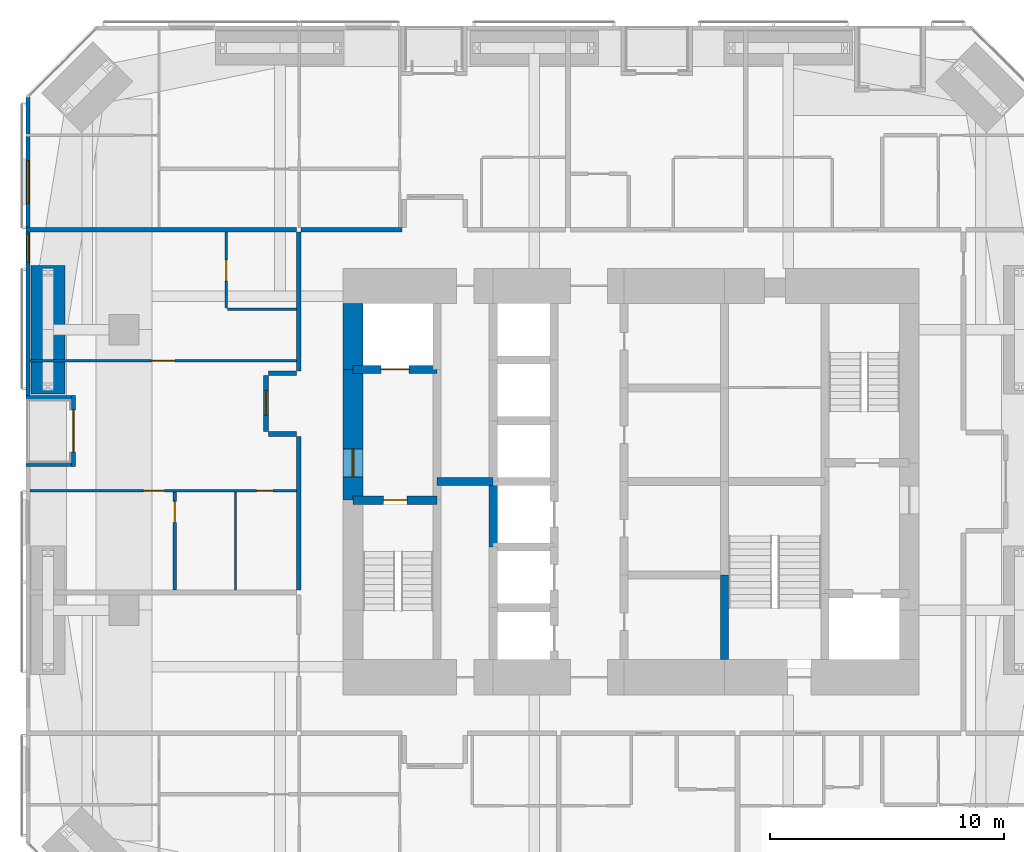
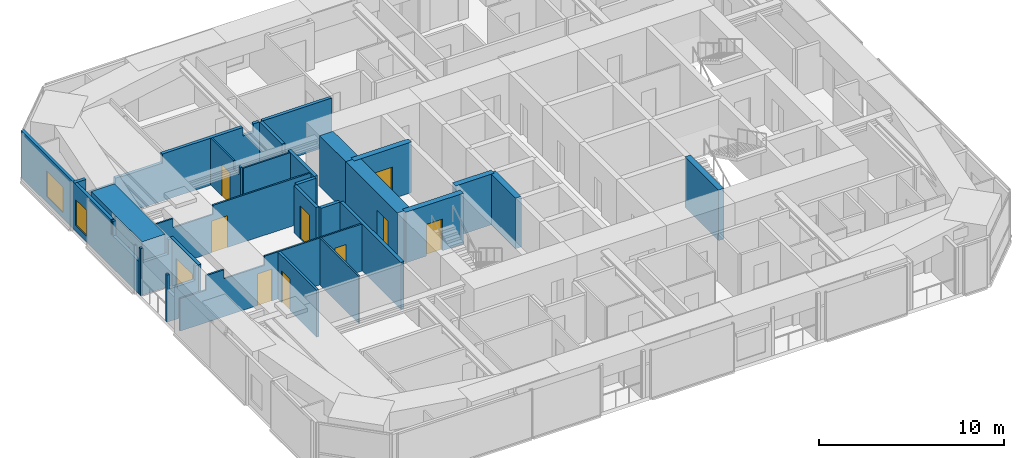
# One storey, part 19 of 25: 25 walls, 10 doors, 2 windows, 12 openings.
"""IFC4 building model written with IfcOpenShell, lengths in metres."""

from ifc_helpers import new_model, si_unit, direction, frame, frame_2d, origin, place, context, subcontext, project, spatial, polyline, rectangle, outline, extrude, material, layer, layer_set, constituent, constituent_set, type_object, element, fill, save


model = new_model("IFC4")

# Units and contexts
model_context = context("Model", 3, precision=1e-05, world=origin(), true_north=direction((0.0, 1.0)))
body_context = subcontext(model_context, "Body", "Model", "MODEL_VIEW")
ifc_project = project(units=[si_unit("LENGTHUNIT", "METRE"), si_unit("AREAUNIT", "SQUARE_METRE"), si_unit("VOLUMEUNIT", "CUBIC_METRE"), si_unit("PLANEANGLEUNIT", "RADIAN"), si_unit("MASSUNIT", "GRAM", prefix="KILO")], contexts=[model_context])

# Site, building, storey
site_placement = place(None, origin())
site = spatial("IfcSite", under=ifc_project, at=site_placement, CompositionType="ELEMENT")
building_placement = place(site_placement, origin())
building = spatial("IfcBuilding", under=site, at=building_placement, Name="Jalousie Tower", CompositionType="ELEMENT")
storey_placement = place(building_placement, frame((0.0, 0.0, 98.14990234375)))
storey = spatial("IfcBuildingStorey", under=building, at=storey_placement, Name="L26", CompositionType="ELEMENT", Elevation=98.14990234375)

# Wall, opening, door
ifc_material_1 = material(Name="Concrete block ASTM C90", Category="concrete")
ifc_constituent_1 = constituent(ifc_material_1, Name="Body")
ifc_material_2 = material(Name="Render")
ifc_constituent_2 = constituent(ifc_material_2, Name="Finish")
ifc_constituent_set_1 = constituent_set(constituents=[ifc_constituent_1, ifc_constituent_2])
wall_type_1 = type_object("IfcWallType", Name="BATHROOM WALL 150", PredefinedType="PLUMBINGWALL", material=ifc_constituent_set_1)
wall_1_placement = place(storey_placement, frame((12.375, 13.85009765625, 0.0), z_axis=(0.0, 0.0, 1.0), x_axis=(0.0, 1.0, 0.0)))
wall_1 = element("IfcWall", 1, at=wall_1_placement, inside=storey, type_object=wall_type_1, Name="Bathroom Wall 150 L26", PredefinedType="PLUMBINGWALL", context=body_context, shape_type="SweptSolid", body=[
    extrude(rectangle(XDim=4.199951171875, YDim=0.14990234375, at=frame_2d((2.10009765625, 0.0))), origin(), (0.0, 0.0, 1.0), 3.110107421875),
])
opening_1_placement = place(wall_1_placement, frame((2.89990234375, 0.0, 0.0)))
opening_1 = element("IfcOpeningElement", 2, at=opening_1_placement, cuts=wall_1, Name="Opening D3", PredefinedType="OPENING", context=body_context, shape_type="SweptSolid", body=[
    extrude(rectangle(XDim=0.89990234375, YDim=2.10009765625, at=frame_2d((0.449951171875, 1.050048828125))), frame((0.0, 0.0849609375, 0.0), z_axis=(0.0, -1.0, 0.0), x_axis=(1.0, 0.0, 0.0)), (0.0, 0.0, 1.0), 0.169921875),
])
ifc_material_3 = material(Name="Timber door", Category="wood")
door_type_1 = type_object("IfcDoorType", Name="BATHROOM DOOR 900", OperationType="SINGLE_SWING_LEFT", PredefinedType="DOOR", material=ifc_material_3)
door_1_placement = place(opening_1_placement, frame((0.89990234375, 0.0, 0.0), z_axis=(0.0, 0.0, 1.0), x_axis=(-1.0, 0.0, 0.0)))
door_1 = element("IfcDoor", 3, at=door_1_placement, inside=storey, type_object=door_type_1, Name="Apartment 2607 bedroom 1 bathroom door", OperationType="SINGLE_SWING_LEFT", OverallHeight=2.10009765625, OverallWidth=0.89990234375, PredefinedType="DOOR", context=body_context, shape_type="SweptSolid", body=[
    extrude(rectangle(XDim=0.89990234375, YDim=2.10009765625, at=frame_2d((0.449951171875, 1.050048828125))), frame((0.0, 0.02490234375, 0.0), z_axis=(0.0, -1.0, 0.0), x_axis=(1.0, 0.0, 0.0)), (0.0, 0.0, 1.0), 0.050048828125),
])
fill(opening_1, door_1)

# Walls
ifc_material_4 = material(Name="Concrete f'c 120 MPa", Category="concrete")
ifc_layer_1 = layer(ifc_material_4, 0.35009765625)
ifc_layer_set_1 = layer_set([ifc_layer_1], Name="Concrete f'c 120 MPa")
wall_type_2 = type_object("IfcWallType", Name="CORE WALL 350", PredefinedType="SHEAR", material=ifc_layer_set_1)
wall_2_placement = place(storey_placement, frame((26.0, 15.699951171875, 0.0), z_axis=(0.0, 0.0, 1.0), x_axis=(0.0, 1.0, 0.0)))
element("IfcWall", 4, at=wall_2_placement, inside=storey, type_object=wall_type_2, Name="Core wall X26C L26", PredefinedType="SHEAR", context=body_context, shape_type="SweptSolid", body=[
    extrude(rectangle(XDim=2.800048828125, YDim=0.35009765625, at=frame_2d((1.39990234375, 0.0))), origin(), (0.0, 0.0, 1.0), 3.35009765625),
])
wall_3_placement = place(storey_placement, frame((35.89990234375, 10.875, 0.0), z_axis=(0.0, 0.0, 1.0), x_axis=(0.0, 1.0, 0.0)))
element("IfcWall", 5, at=wall_3_placement, inside=storey, type_object=wall_type_2, Name="Core wall X35.9A L26", PredefinedType="SHEAR", context=body_context, shape_type="SweptSolid", body=[
    extrude(rectangle(XDim=3.625, YDim=0.35009765625, at=frame_2d((1.8125, 0.0))), origin(), (0.0, 0.0, 1.0), 3.35009765625),
])

# Wall, opening, door
wall_4_placement = place(storey_placement, frame((20.0, 17.699951171875, 0.0), z_axis=(0.0, 0.0, 1.0), x_axis=(1.0, 0.0, 0.0)))
wall_4 = element("IfcWall", 6, at=wall_4_placement, inside=storey, type_object=wall_type_2, Name="Core wall Y20-17.7 L26", PredefinedType="SHEAR", context=body_context, shape_type="SweptSolid", body=[
    extrude(rectangle(XDim=3.60009765625, YDim=0.35009765625, at=frame_2d((1.800048828125, 0.0))), origin(), (0.0, 0.0, 1.0), 3.35009765625),
])
opening_2_placement = place(wall_4_placement, frame((1.300048828125, 0.0, 0.0)))
opening_2 = element("IfcOpeningElement", 7, at=opening_2_placement, cuts=wall_4, Name="Opening D10", PredefinedType="OPENING", context=body_context, shape_type="SweptSolid", body=[
    extrude(rectangle(XDim=1.0, YDim=2.10009765625, at=frame_2d((0.5, 1.050048828125))), frame((0.0, 0.18505859375, 0.0), z_axis=(0.0, -1.0, 0.0), x_axis=(1.0, 0.0, 0.0)), (0.0, 0.0, 1.0), 0.3701171875),
])
ifc_material_5 = material(Name="Steel fire door", Category="steel")
door_type_2 = type_object("IfcDoorType", Name="STAIR DOOR 1000", OperationType="SINGLE_SWING_LEFT", PredefinedType="DOOR", material=ifc_material_5)
door_2_placement = place(opening_2_placement, frame((1.0, 0.0, 0.0), z_axis=(0.0, 0.0, 1.0), x_axis=(-1.0, 0.0, 0.0)))
door_2 = element("IfcDoor", 8, at=door_2_placement, inside=storey, type_object=door_type_2, Name="Exit stair A door", OperationType="SINGLE_SWING_RIGHT", OverallHeight=2.10009765625, OverallWidth=1.0, PredefinedType="DOOR", context=body_context, shape_type="SweptSolid", body=[
    extrude(rectangle(XDim=1.0, YDim=2.10009765625, at=frame_2d((0.5, 1.050048828125))), frame((0.0, 0.02490234375, 0.0), z_axis=(0.0, -1.0, 0.0), x_axis=(1.0, 0.0, 0.0)), (0.0, 0.0, 1.0), 0.050048828125),
])
fill(opening_2, door_2)

wall_5_placement = place(storey_placement, frame((20.0, 23.300048828125, 0.0), z_axis=(0.0, 0.0, 1.0), x_axis=(1.0, 0.0, 0.0)))
wall_5 = element("IfcWall", 9, at=wall_5_placement, inside=storey, type_object=wall_type_2, Name="Core wall Y20-23.3 L26", PredefinedType="SHEAR", context=body_context, shape_type="SweptSolid", body=[
    extrude(rectangle(XDim=3.60009765625, YDim=0.35009765625, at=frame_2d((1.800048828125, 0.0))), origin(), (0.0, 0.0, 1.0), 3.35009765625),
])
opening_3_placement = place(wall_5_placement, frame((1.199951171875, 0.0, 0.0)))
opening_3 = element("IfcOpeningElement", 10, at=opening_3_placement, cuts=wall_5, Name="Opening LD2", PredefinedType="OPENING", context=body_context, shape_type="SweptSolid", body=[
    extrude(rectangle(XDim=1.199951171875, YDim=2.10009765625, at=frame_2d((0.60009765625, 1.050048828125))), frame((0.0, 0.18505859375, 0.0), z_axis=(0.0, -1.0, 0.0), x_axis=(1.0, 0.0, 0.0)), (0.0, 0.0, 1.0), 0.3701171875),
])
ifc_material_6 = material(Name="Steel lift landing door", Category="steel")
door_type_3 = type_object("IfcDoorType", Name="LIFT LANDING DOOR 1200", OperationType="SLIDING_TO_LEFT", PredefinedType="DOOR", material=ifc_material_6)
door_3_placement = place(opening_3_placement, origin())
door_3 = element("IfcDoor", 11, at=door_3_placement, inside=storey, type_object=door_type_3, Name="Lift F1 landing door", OperationType="SLIDING_TO_LEFT", OverallHeight=2.10009765625, OverallWidth=1.199951171875, PredefinedType="DOOR", context=body_context, shape_type="SweptSolid", body=[
    extrude(rectangle(XDim=1.199951171875, YDim=2.10009765625, at=frame_2d((0.60009765625, 1.050048828125))), frame((0.0, 0.02490234375, 0.0), z_axis=(0.0, -1.0, 0.0), x_axis=(1.0, 0.0, 0.0)), (0.0, 0.0, 1.0), 0.050048828125),
])
fill(opening_3, door_3)

# Walls
wall_6_placement = place(storey_placement, frame((23.60009765625, 18.5, 0.0), z_axis=(0.0, 0.0, 1.0), x_axis=(1.0, 0.0, 0.0)))
element("IfcWall", 12, at=wall_6_placement, inside=storey, type_object=wall_type_2, Name="Core wall Y23.6-18.5 L26", PredefinedType="SHEAR", context=body_context, shape_type="SweptSolid", body=[
    extrude(rectangle(XDim=2.39990234375, YDim=0.35009765625, at=frame_2d((1.199951171875, 0.0))), origin(), (0.0, 0.0, 1.0), 3.35009765625),
])
ifc_material_7 = material(Name="Concrete f'c 120 MPa", Category="concrete")
ifc_layer_2 = layer(ifc_material_7, 0.85009765625)
ifc_layer_set_2 = layer_set([ifc_layer_2], Name="Concrete f'c 120 MPa")
wall_type_3 = type_object("IfcWallType", Name="CORE WALL 850", PredefinedType="SHEAR", material=ifc_layer_set_2)
wall_7_placement = place(storey_placement, frame((20.0, 26.125, 0.0), z_axis=(0.0, 0.0, 1.0), x_axis=(0.0, -1.0, 0.0)))
element("IfcWall", 13, at=wall_7_placement, inside=storey, type_object=wall_type_3, Name="Core wall WA L26", PredefinedType="SHEAR", context=body_context, shape_type="SweptSolid", body=[
    extrude(rectangle(XDim=2.824951171875, YDim=0.85009765625, at=frame_2d((1.41259765625, 0.0))), origin(), (0.0, 0.0, 1.0), 3.35009765625),
])

# Wall, opening, door
wall_8_placement = place(storey_placement, frame((20.0, 23.300048828125, 0.0), z_axis=(0.0, 0.0, 1.0), x_axis=(0.0, -1.0, 0.0)))
wall_8 = element("IfcWall", 14, at=wall_8_placement, inside=storey, type_object=wall_type_3, Name="Core wall WB L26", PredefinedType="SHEAR", context=body_context, shape_type="SweptSolid", body=[
    extrude(rectangle(XDim=5.60009765625, YDim=0.85009765625, at=frame_2d((2.800048828125, 0.0))), origin(), (0.0, 0.0, 1.0), 3.35009765625),
])
opening_4_placement = place(wall_8_placement, frame((3.39990234375, 0.0, 0.0)))
opening_4 = element("IfcOpeningElement", 15, at=opening_4_placement, cuts=wall_8, Name="Opening D11", PredefinedType="OPENING", context=body_context, shape_type="SweptSolid", body=[
    extrude(rectangle(XDim=1.199951171875, YDim=2.199951171875, at=frame_2d((0.60009765625, 1.10009765625))), frame((0.0, 0.43505859375, 0.0), z_axis=(0.0, -1.0, 0.0), x_axis=(1.0, 0.0, 0.0)), (0.0, 0.0, 1.0), 0.8701171875),
])
ifc_material_8 = material(Name="Steel fire door", Category="steel")
door_type_4 = type_object("IfcDoorType", Name="FIRE DOOR 1200", OperationType="SINGLE_SWING_LEFT", PredefinedType="DOOR", material=ifc_material_8)
door_4_placement = place(opening_4_placement, origin())
door_4 = element("IfcDoor", 16, at=door_4_placement, inside=storey, type_object=door_type_4, Name="Fire-fighting lobby A door", OperationType="SINGLE_SWING_RIGHT", OverallHeight=2.199951171875, OverallWidth=1.199951171875, PredefinedType="DOOR", context=body_context, shape_type="SweptSolid", body=[
    extrude(rectangle(XDim=1.199951171875, YDim=2.199951171875, at=frame_2d((0.60009765625, 1.10009765625))), frame((0.0, 0.02490234375, 0.0), z_axis=(0.0, -1.0, 0.0), x_axis=(1.0, 0.0, 0.0)), (0.0, 0.0, 1.0), 0.050048828125),
])
fill(opening_4, door_4)

# Walls
ifc_material_9 = material(Name="Concrete block ASTM C90", Category="concrete")
ifc_constituent_3 = constituent(ifc_material_9, Name="Body")
ifc_material_10 = material(Name="Render")
ifc_constituent_4 = constituent(ifc_material_10, Name="Finish")
ifc_constituent_set_2 = constituent_set(constituents=[ifc_constituent_3, ifc_constituent_4])
wall_type_4 = type_object("IfcWallType", Name="CORRIDOR WALL 200", PredefinedType="PARTITIONING", material=ifc_constituent_set_2)
wall_9_placement = place(storey_placement, frame((17.77490234375, 29.27490234375, 0.0), z_axis=(0.0, 0.0, 1.0), x_axis=(1.0, 0.0, 0.0)))
element("IfcWall", 17, at=wall_9_placement, inside=storey, type_object=wall_type_4, Name="Corridor Wall 200 L26", PredefinedType="PARTITIONING", context=body_context, shape_type="SweptSolid", body=[
    extrude(rectangle(XDim=4.3251953125, YDim=0.199951171875, at=frame_2d((2.16259765625, 0.0))), origin(), (0.0, 0.0, 1.0), 3.110107421875),
])
wall_10_placement = place(storey_placement, frame((17.675048828125, 13.85009765625, 0.0), z_axis=(0.0, 0.0, 1.0), x_axis=(0.0, 1.0, 0.0)))
element("IfcWall", 18, at=wall_10_placement, inside=storey, type_object=wall_type_4, Name="Corridor Wall 200 L26", PredefinedType="PARTITIONING", context=body_context, shape_type="SweptSolid", body=[
    extrude(rectangle(XDim=6.58740234375, YDim=0.199951171875, at=frame_2d((3.293701171875, 0.0))), origin(), (0.0, 0.0, 1.0), 3.110107421875),
])
wall_11_placement = place(storey_placement, frame((17.675048828125, 23.237548828125, 0.0), z_axis=(0.0, 0.0, 1.0), x_axis=(0.0, 1.0, 0.0)))
element("IfcWall", 19, at=wall_11_placement, inside=storey, type_object=wall_type_4, Name="Corridor Wall 200 L26", PredefinedType="PARTITIONING", context=body_context, shape_type="SweptSolid", body=[
    extrude(outline(polyline([(0.0, 0.0), (5.9375, 0.0), (5.9375, 3.110107421875), (3.52490234375, 3.110107421875), (3.52490234375, 2.541015625), (2.85009765625, 2.541015625), (2.85009765625, 3.110107421875), (0.0, 3.110107421875), (0.0, 0.0)])), frame((0.0, 0.10009765625, 0.0), z_axis=(0.0, -1.0, 0.0), x_axis=(1.0, 0.0, 0.0)), (0.0, 0.0, 1.0), 0.199951171875),
])

# Wall, opening, door
wall_12_placement = place(storey_placement, frame((16.27490234375, 20.637451171875, 0.0), z_axis=(0.0, 0.0, 1.0), x_axis=(0.0, 1.0, 0.0)))
wall_12 = element("IfcWall", 20, at=wall_12_placement, inside=storey, type_object=wall_type_4, Name="Corridor Wall 200 L26", PredefinedType="PARTITIONING", context=body_context, shape_type="SweptSolid", body=[
    extrude(rectangle(XDim=2.400146484375, YDim=0.199951171875, at=frame_2d((1.2001953125, 0.0))), origin(), (0.0, 0.0, 1.0), 3.110107421875),
])
opening_5_placement = place(wall_12_placement, frame((0.699951171875, 0.0, 0.0)))
opening_5 = element("IfcOpeningElement", 21, at=opening_5_placement, cuts=wall_12, Name="Opening D1", PredefinedType="OPENING", context=body_context, shape_type="SweptSolid", body=[
    extrude(rectangle(XDim=1.050048828125, YDim=2.199951171875, at=frame_2d((0.52490234375, 1.10009765625))), frame((0.0, 0.10986328125, 0.0), z_axis=(0.0, -1.0, 0.0), x_axis=(1.0, 0.0, 0.0)), (0.0, 0.0, 1.0), 0.219970703125),
])
ifc_material_11 = material(Name="Timber fire door", Category="wood")
door_type_5 = type_object("IfcDoorType", Name="APARTMENT ENTRANCE DOOR 1050", OperationType="SINGLE_SWING_LEFT", PredefinedType="DOOR", material=ifc_material_11)
door_5_placement = place(opening_5_placement, origin())
door_5 = element("IfcDoor", 22, at=door_5_placement, inside=storey, type_object=door_type_5, Name="Apartment 2607 entrance", OperationType="SINGLE_SWING_RIGHT", OverallHeight=2.199951171875, OverallWidth=1.050048828125, PredefinedType="DOOR", context=body_context, shape_type="SweptSolid", body=[
    extrude(rectangle(XDim=1.050048828125, YDim=2.199951171875, at=frame_2d((0.52490234375, 1.10009765625))), frame((0.0, 0.02490234375, 0.0), z_axis=(0.0, -1.0, 0.0), x_axis=(1.0, 0.0, 0.0)), (0.0, 0.0, 1.0), 0.050048828125),
])
fill(opening_5, door_5)

# Walls
for number, where, z_axis, x_axis, name in (
    (23, (17.574951171875, 20.53759765625, 0.0), (0.0, 0.0, 1.0), (-1.0, 0.0, 0.0), "Corridor Wall 200 L26"),
    (24, (17.574951171875, 23.137451171875, 0.0), (0.0, 0.0, 1.0), (-1.0, 0.0, 0.0), "Corridor Wall 200 L26"),
):
    element("IfcWall", number, at=place(storey_placement, frame(where, z_axis=z_axis, x_axis=x_axis)), inside=storey, type_object=wall_type_4, Name=name, PredefinedType="PARTITIONING", context=body_context, shape_type="SweptSolid", body=[
        extrude(rectangle(XDim=1.199951171875, YDim=0.199951171875, at=frame_2d((0.60009765625, 0.0))), origin(), (0.0, 0.0, 1.0), 3.110107421875),
    ])

# Wall, openings, windows
ifc_material_12 = material(Name="Concrete f'c 40 MPa", Category="concrete")
ifc_constituent_5 = constituent(ifc_material_12, Name="Body")
ifc_material_13 = material(Name="Render, pastel sea green")
ifc_constituent_6 = constituent(ifc_material_13, Name="Finish")
ifc_constituent_set_3 = constituent_set(constituents=[ifc_constituent_5, ifc_constituent_6])
wall_type_5 = type_object("IfcWallType", Name="EXTERNAL WALL 175 SEA GREEN RENDER", PredefinedType="SOLIDWALL", material=ifc_constituent_set_3)
wall_13_placement = place(storey_placement, frame((6.08740234375, 34.94873046875, 0.0), z_axis=(0.0, 0.0, 1.0), x_axis=(0.0, -1.0, 0.0)))
wall_13 = element("IfcWall", 25, at=wall_13_placement, inside=storey, type_object=wall_type_5, Name="External Wall 175 Sea Green Render L26", PredefinedType="SOLIDWALL", context=body_context, shape_type="SweptSolid", body=[
    extrude(outline(polyline([(0.0, 0.0), (12.76123046875, 0.0), (12.76123046875, 2.150146484375), (9.94873046875, 2.150146484375), (9.94873046875, 3.110107421875), (9.822998046875, 3.110107421875), (9.822998046875, 2.150146484375), (9.72998046875, 2.150146484375), (9.72998046875, 3.110107421875), (0.0, 3.110107421875), (0.0, 0.0)])), frame((0.0, 0.08740234375, 0.0), z_axis=(0.0, -1.0, 0.0), x_axis=(1.0, 0.0, 0.0)), (0.0, 0.0, 1.0), 0.175048828125),
])
opening_6_placement = place(wall_13_placement, frame((2.72412109375, 0.0, 0.39990234375)))
opening_6 = element("IfcOpeningElement", 26, at=opening_6_placement, cuts=wall_13, Name="Opening W-BED170", PredefinedType="OPENING", context=body_context, shape_type="SweptSolid", body=[
    extrude(rectangle(XDim=1.800048828125, YDim=1.699951171875, at=frame_2d((0.89990234375, 0.85009765625))), frame((0.0, 0.097412109375, 0.0), z_axis=(0.0, -1.0, 0.0), x_axis=(1.0, 0.0, 0.0)), (0.0, 0.0, 1.0), 0.195068359375),
])
opening_7_placement = place(wall_13_placement, frame((5.873779296875, 0.0, 0.39990234375)))
opening_7 = element("IfcOpeningElement", 27, at=opening_7_placement, cuts=wall_13, Name="Opening W-COR170", PredefinedType="OPENING", context=body_context, shape_type="SweptSolid", body=[
    extrude(rectangle(XDim=1.199951171875, YDim=1.699951171875, at=frame_2d((0.60009765625, 0.85009765625))), frame((0.0, 0.097412109375, 0.0), z_axis=(0.0, -1.0, 0.0), x_axis=(1.0, 0.0, 0.0)), (0.0, 0.0, 1.0), 0.195068359375),
])
ifc_material_14 = material(Name="Aluminium frame, impact-rated glazing", Category="aluminium")
window_type_1 = type_object("IfcWindowType", Name="WINDOW BED 1800x1700", PartitioningType="SINGLE_PANEL", PredefinedType="WINDOW", material=ifc_material_14)
window_1_placement = place(opening_6_placement, origin())
window_1 = element("IfcWindow", 28, at=window_1_placement, inside=storey, type_object=window_type_1, Name="Apartment 2604 bedroom 1 window", OverallHeight=1.699951171875, OverallWidth=1.800048828125, PartitioningType="SINGLE_PANEL", PredefinedType="WINDOW", context=body_context, shape_type="SweptSolid", body=[
    extrude(rectangle(XDim=1.800048828125, YDim=1.699951171875, at=frame_2d((0.89990234375, 0.85009765625))), frame((0.0, 0.030029296875, 0.0), z_axis=(0.0, -1.0, 0.0), x_axis=(1.0, 0.0, 0.0)), (0.0, 0.0, 1.0), 0.06005859375),
])
fill(opening_6, window_1)
ifc_material_15 = material(Name="Aluminium frame, impact-rated glazing", Category="aluminium")
window_type_2 = type_object("IfcWindowType", Name="WINDOW COR 1200x1700", PartitioningType="SINGLE_PANEL", PredefinedType="WINDOW", material=ifc_material_15)
window_2_placement = place(opening_7_placement, origin())
window_2 = element("IfcWindow", 29, at=window_2_placement, inside=storey, type_object=window_type_2, Name="Apartment 2607 dining room window", OverallHeight=1.699951171875, OverallWidth=1.199951171875, PartitioningType="SINGLE_PANEL", PredefinedType="WINDOW", context=body_context, shape_type="SweptSolid", body=[
    extrude(rectangle(XDim=1.199951171875, YDim=1.699951171875, at=frame_2d((0.60009765625, 0.85009765625))), frame((0.0, 0.030029296875, 0.0), z_axis=(0.0, -1.0, 0.0), x_axis=(1.0, 0.0, 0.0)), (0.0, 0.0, 1.0), 0.06005859375),
])
fill(opening_7, window_2)

# Wall, opening, door
wall_14_placement = place(storey_placement, frame((8.03759765625, 22.1875, 0.0), z_axis=(0.0, 0.0, 1.0), x_axis=(0.0, -1.0, 0.0)))
wall_14 = element("IfcWall", 30, at=wall_14_placement, inside=storey, type_object=wall_type_5, Name="External Wall 175 Sea Green Render L26", PredefinedType="SOLIDWALL", context=body_context, shape_type="SweptSolid", body=[
    extrude(rectangle(XDim=3.050048828125, YDim=0.175048828125, at=frame_2d((1.52490234375, 0.0))), origin(), (0.0, 0.0, 1.0), 3.110107421875),
])
opening_8_placement = place(wall_14_placement, frame((0.625, 0.0, 0.0)))
opening_8 = element("IfcOpeningElement", 31, at=opening_8_placement, cuts=wall_14, Name="Opening D-BAL21", PredefinedType="OPENING", context=body_context, shape_type="SweptSolid", body=[
    extrude(rectangle(XDim=1.800048828125, YDim=2.10009765625, at=frame_2d((0.89990234375, 1.050048828125))), frame((0.0, 0.097412109375, 0.0), z_axis=(0.0, -1.0, 0.0), x_axis=(1.0, 0.0, 0.0)), (0.0, 0.0, 1.0), 0.195068359375),
])
ifc_material_16 = material(Name="Aluminium frame, impact-rated glazing", Category="aluminium")
door_type_6 = type_object("IfcDoorType", Name="BALCONY DOOR 1800x2100", OperationType="SLIDING_TO_LEFT", PredefinedType="DOOR", material=ifc_material_16)
door_6_placement = place(opening_8_placement, origin())
door_6 = element("IfcDoor", 32, at=door_6_placement, inside=storey, type_object=door_type_6, Name="Apartment 2607 living room loggia door", OperationType="SLIDING_TO_LEFT", OverallHeight=2.10009765625, OverallWidth=1.800048828125, PredefinedType="DOOR", context=body_context, shape_type="SweptSolid", body=[
    extrude(rectangle(XDim=1.800048828125, YDim=2.10009765625, at=frame_2d((0.89990234375, 1.050048828125))), frame((0.0, 0.02490234375, 0.0), z_axis=(0.0, -1.0, 0.0), x_axis=(1.0, 0.0, 0.0)), (0.0, 0.0, 1.0), 0.050048828125),
])
fill(opening_8, door_6)

# Walls
for number, where, z_axis, x_axis, name in (
    (33, (6.0, 22.10009765625, 0.0), (0.0, 0.0, 1.0), (1.0, 0.0, 0.0), "External Wall 175 Sea Green Render L26"),
    (34, (6.0, 19.22509765625, 0.0), (0.0, 0.0, 1.0), (1.0, 0.0, 0.0), "External Wall 175 Sea Green Render L26"),
):
    element("IfcWall", number, at=place(storey_placement, frame(where, z_axis=z_axis, x_axis=x_axis)), inside=storey, type_object=wall_type_5, Name=name, PredefinedType="SOLIDWALL", context=body_context, shape_type="SweptSolid", body=[
        extrude(outline(polyline([(0.0, 0.0), (1.949951171875, 0.0), (1.949951171875, 3.110107421875), (1.75, 3.110107421875), (1.75, 2.150146484375), (0.14990234375, 2.150146484375), (0.14990234375, 3.110107421875), (0.0, 3.110107421875), (0.0, 0.0)])), frame((0.0, 0.08740234375, 0.0), z_axis=(0.0, -1.0, 0.0), x_axis=(1.0, 0.0, 0.0)), (0.0, 0.0, 1.0), 0.175048828125),
    ])

# Wall, openings, doors
ifc_material_17 = material(Name="Gypsum board", Category="gypsum")
ifc_constituent_7 = constituent(ifc_material_17, Name="Body")
ifc_material_18 = material(Name="Light-gauge steel studs ASTM A653 SS Grade 33", Category="steel")
ifc_constituent_8 = constituent(ifc_material_18, Name="Framing")
ifc_constituent_set_4 = constituent_set(constituents=[ifc_constituent_7, ifc_constituent_8])
wall_type_6 = type_object("IfcWallType", Name="PARTITION 100", PredefinedType="PARTITIONING", material=ifc_constituent_set_4)
wall_15_placement = place(storey_placement, frame((6.175048828125, 18.10009765625, 0.0), z_axis=(0.0, 0.0, 1.0), x_axis=(1.0, 0.0, 0.0)))
wall_15 = element("IfcWall", 35, at=wall_15_placement, inside=storey, type_object=wall_type_6, Name="Partition 100 L26", PredefinedType="PARTITIONING", context=body_context, shape_type="SweptSolid", body=[
    extrude(outline(polyline([(0.0, 0.0), (11.39990234375, 0.0), (11.39990234375, 3.110107421875), (5.284912109375, 3.110107421875), (5.284912109375, 2.510009765625), (2.764892578125, 2.510009765625), (2.764892578125, 3.110107421875), (1.635009765625, 3.110107421875), (1.635009765625, 2.150146484375), (0.0, 2.150146484375), (0.0, 3.110107421875), (0.0, 0.0)])), frame((0.0, 0.050048828125, 0.0), z_axis=(0.0, -1.0, 0.0), x_axis=(1.0, 0.0, 0.0)), (0.0, 0.0, 1.0), 0.10009765625),
])
opening_9_placement = place(wall_15_placement, frame((4.85009765625, 0.0, 0.0)))
opening_9 = element("IfcOpeningElement", 36, at=opening_9_placement, cuts=wall_15, Name="Opening D2", PredefinedType="OPENING", context=body_context, shape_type="SweptSolid", body=[
    extrude(rectangle(XDim=0.89990234375, YDim=2.10009765625, at=frame_2d((0.449951171875, 1.050048828125))), frame((0.0, 0.06005859375, 0.0), z_axis=(0.0, -1.0, 0.0), x_axis=(1.0, 0.0, 0.0)), (0.0, 0.0, 1.0), 0.1201171875),
])
opening_10_placement = place(wall_15_placement, frame((9.699951171875, 0.0, 0.0)))
opening_10 = element("IfcOpeningElement", 37, at=opening_10_placement, cuts=wall_15, Name="Opening D4", PredefinedType="OPENING", context=body_context, shape_type="SweptSolid", body=[
    extrude(rectangle(XDim=0.699951171875, YDim=2.10009765625, at=frame_2d((0.35009765625, 1.050048828125))), frame((0.0, 0.06005859375, 0.0), z_axis=(0.0, -1.0, 0.0), x_axis=(1.0, 0.0, 0.0)), (0.0, 0.0, 1.0), 0.1201171875),
])
ifc_material_19 = material(Name="Timber door", Category="wood")
door_type_7 = type_object("IfcDoorType", Name="BEDROOM DOOR 900", OperationType="SINGLE_SWING_LEFT", PredefinedType="DOOR", material=ifc_material_19)
door_7_placement = place(opening_9_placement, frame((0.89990234375, 0.0, 0.0), z_axis=(0.0, 0.0, 1.0), x_axis=(-1.0, 0.0, 0.0)))
door_7 = element("IfcDoor", 38, at=door_7_placement, inside=storey, type_object=door_type_7, Name="Apartment 2607 bedroom 1 door", OperationType="SINGLE_SWING_LEFT", OverallHeight=2.10009765625, OverallWidth=0.89990234375, PredefinedType="DOOR", context=body_context, shape_type="SweptSolid", body=[
    extrude(rectangle(XDim=0.89990234375, YDim=2.10009765625, at=frame_2d((0.449951171875, 1.050048828125))), frame((0.0, 0.02490234375, 0.0), z_axis=(0.0, -1.0, 0.0), x_axis=(1.0, 0.0, 0.0)), (0.0, 0.0, 1.0), 0.050048828125),
])
fill(opening_9, door_7)
ifc_material_20 = material(Name="Timber door", Category="wood")
door_type_8 = type_object("IfcDoorType", Name="STORE DOOR 700", OperationType="SINGLE_SWING_LEFT", PredefinedType="DOOR", material=ifc_material_20)
door_8_placement = place(opening_10_placement, frame((0.699951171875, 0.0, 0.0), z_axis=(0.0, 0.0, 1.0), x_axis=(-1.0, 0.0, 0.0)))
door_8 = element("IfcDoor", 39, at=door_8_placement, inside=storey, type_object=door_type_8, Name="Apartment 2607 store door", OperationType="SINGLE_SWING_RIGHT", OverallHeight=2.10009765625, OverallWidth=0.699951171875, PredefinedType="DOOR", context=body_context, shape_type="SweptSolid", body=[
    extrude(rectangle(XDim=0.699951171875, YDim=2.10009765625, at=frame_2d((0.35009765625, 1.050048828125))), frame((0.0, 0.02490234375, 0.0), z_axis=(0.0, -1.0, 0.0), x_axis=(1.0, 0.0, 0.0)), (0.0, 0.0, 1.0), 0.050048828125),
])
fill(opening_10, door_8)

# Wall
wall_16_placement = place(storey_placement, frame((14.97509765625, 13.85009765625, 0.0), z_axis=(0.0, 0.0, 1.0), x_axis=(0.0, 1.0, 0.0)))
element("IfcWall", 40, at=wall_16_placement, inside=storey, type_object=wall_type_6, Name="Partition 100 L26", PredefinedType="PARTITIONING", context=body_context, shape_type="SweptSolid", body=[
    extrude(rectangle(XDim=4.199951171875, YDim=0.10009765625, at=frame_2d((2.10009765625, 0.0))), origin(), (0.0, 0.0, 1.0), 3.110107421875),
])

# Wall, opening, door
wall_17_placement = place(storey_placement, frame((14.574951171875, 25.925048828125, 0.0), z_axis=(0.0, 0.0, 1.0), x_axis=(0.0, 1.0, 0.0)))
wall_17 = element("IfcWall", 41, at=wall_17_placement, inside=storey, type_object=wall_type_6, Name="Partition 100 L26", PredefinedType="PARTITIONING", context=body_context, shape_type="SweptSolid", body=[
    extrude(outline(polyline([(0.0, 0.0), (3.25, 0.0), (3.25, 3.110107421875), (0.787353515625, 3.110107421875), (0.787353515625, 2.541015625), (0.212646484375, 2.541015625), (0.212646484375, 3.110107421875), (0.0, 3.110107421875), (0.0, 0.0)])), frame((0.0, 0.050048828125, 0.0), z_axis=(0.0, -1.0, 0.0), x_axis=(1.0, 0.0, 0.0)), (0.0, 0.0, 1.0), 0.10009765625),
])
opening_11_placement = place(wall_17_placement, frame((1.14990234375, 0.0, 0.0)))
opening_11 = element("IfcOpeningElement", 42, at=opening_11_placement, cuts=wall_17, Name="Opening D7", PredefinedType="OPENING", context=body_context, shape_type="SweptSolid", body=[
    extrude(rectangle(XDim=0.89990234375, YDim=2.10009765625, at=frame_2d((0.449951171875, 1.050048828125))), frame((0.0, 0.06005859375, 0.0), z_axis=(0.0, -1.0, 0.0), x_axis=(1.0, 0.0, 0.0)), (0.0, 0.0, 1.0), 0.1201171875),
])
ifc_material_21 = material(Name="Timber door", Category="wood")
door_type_9 = type_object("IfcDoorType", Name="INTERNAL DOOR 900", OperationType="SINGLE_SWING_LEFT", PredefinedType="DOOR", material=ifc_material_21)
door_9_placement = place(opening_11_placement, origin())
door_9 = element("IfcDoor", 43, at=door_9_placement, inside=storey, type_object=door_type_9, Name="Apartment 2607 kitchen door", OperationType="SINGLE_SWING_RIGHT", OverallHeight=2.10009765625, OverallWidth=0.89990234375, PredefinedType="DOOR", context=body_context, shape_type="SweptSolid", body=[
    extrude(rectangle(XDim=0.89990234375, YDim=2.10009765625, at=frame_2d((0.449951171875, 1.050048828125))), frame((0.0, 0.02490234375, 0.0), z_axis=(0.0, -1.0, 0.0), x_axis=(1.0, 0.0, 0.0)), (0.0, 0.0, 1.0), 0.050048828125),
])
fill(opening_11, door_9)

# Wall
wall_18_placement = place(storey_placement, frame((14.625, 25.875, 0.0), z_axis=(0.0, 0.0, 1.0), x_axis=(1.0, 0.0, 0.0)))
element("IfcWall", 44, at=wall_18_placement, inside=storey, type_object=wall_type_6, Name="Partition 100 L26", PredefinedType="PARTITIONING", context=body_context, shape_type="SweptSolid", body=[
    extrude(rectangle(XDim=2.949951171875, YDim=0.10009765625, at=frame_2d((1.47509765625, 0.0))), origin(), (0.0, 0.0, 1.0), 3.110107421875),
])

# Wall, opening, door
wall_19_placement = place(storey_placement, frame((6.175048828125, 23.66259765625, 0.0), z_axis=(0.0, 0.0, 1.0), x_axis=(1.0, 0.0, 0.0)))
wall_19 = element("IfcWall", 45, at=wall_19_placement, inside=storey, type_object=wall_type_6, Name="Partition 100 L26", PredefinedType="PARTITIONING", context=body_context, shape_type="SweptSolid", body=[
    extrude(outline(polyline([(0.52880859375, 2.150146484375), (0.0, 2.150146484375), (0.0, 0.0), (0.52880859375, 0.0), (0.52880859375, 0.5556640625), (1.021240234375, 0.5556640625), (1.021240234375, 0.0), (11.39990234375, 0.0), (11.39990234375, 3.110107421875), (5.284912109375, 3.110107421875), (5.284912109375, 2.510009765625), (2.764892578125, 2.510009765625), (2.764892578125, 3.110107421875), (1.635009765625, 3.110107421875), (1.635009765625, 2.150146484375), (1.021240234375, 2.150146484375), (1.021240234375, 1.594482421875), (0.52880859375, 1.594482421875), (0.52880859375, 2.150146484375)])), frame((0.0, 0.050048828125, 0.0), z_axis=(0.0, -1.0, 0.0), x_axis=(1.0, 0.0, 0.0)), (0.0, 0.0, 1.0), 0.10009765625),
])
opening_12_placement = place(wall_19_placement, frame((5.199951171875, 0.0, 0.0)))
opening_12 = element("IfcOpeningElement", 46, at=opening_12_placement, cuts=wall_19, Name="Opening D6", PredefinedType="OPENING", context=body_context, shape_type="SweptSolid", body=[
    extrude(rectangle(XDim=1.0, YDim=2.10009765625, at=frame_2d((0.5, 1.050048828125))), frame((0.0, 0.06005859375, 0.0), z_axis=(0.0, -1.0, 0.0), x_axis=(1.0, 0.0, 0.0)), (0.0, 0.0, 1.0), 0.1201171875),
])
ifc_material_22 = material(Name="Timber door", Category="wood")
door_type_10 = type_object("IfcDoorType", Name="INTERNAL DOOR 1000", OperationType="SINGLE_SWING_LEFT", PredefinedType="DOOR", material=ifc_material_22)
door_10_placement = place(opening_12_placement, origin())
door_10 = element("IfcDoor", 47, at=door_10_placement, inside=storey, type_object=door_type_10, Name="Apartment 2607 dining room door", OperationType="SINGLE_SWING_RIGHT", OverallHeight=2.10009765625, OverallWidth=1.0, PredefinedType="DOOR", context=body_context, shape_type="SweptSolid", body=[
    extrude(rectangle(XDim=1.0, YDim=2.10009765625, at=frame_2d((0.5, 1.050048828125))), frame((0.0, 0.02490234375, 0.0), z_axis=(0.0, -1.0, 0.0), x_axis=(1.0, 0.0, 0.0)), (0.0, 0.0, 1.0), 0.050048828125),
])
fill(opening_12, door_10)

# Walls
ifc_material_23 = material(Name="Concrete block ASTM C90", Category="concrete")
ifc_constituent_9 = constituent(ifc_material_23, Name="Body")
ifc_material_24 = material(Name="Render")
ifc_constituent_10 = constituent(ifc_material_24, Name="Finish")
ifc_constituent_set_5 = constituent_set(constituents=[ifc_constituent_9, ifc_constituent_10])
wall_type_7 = type_object("IfcWallType", Name="PARTY WALL 200", PredefinedType="PARTITIONING", material=ifc_constituent_set_5)
wall_20_placement = place(storey_placement, frame((6.0, 29.27490234375, 0.0), z_axis=(0.0, 0.0, 1.0), x_axis=(1.0, 0.0, 0.0)))
element("IfcWall", 48, at=wall_20_placement, inside=storey, type_object=wall_type_7, Name="Party Wall 200 L26", PredefinedType="PARTITIONING", context=body_context, shape_type="SweptSolid", body=[
    extrude(outline(polyline([(0.0, 0.0), (11.574951171875, 0.0), (11.574951171875, 3.110107421875), (11.21240234375, 3.110107421875), (11.21240234375, 2.541015625), (10.53759765625, 2.541015625), (10.53759765625, 3.110107421875), (5.510009765625, 3.110107421875), (5.510009765625, 2.510009765625), (2.96875, 2.510009765625), (2.96875, 2.541015625), (2.565185546875, 2.541015625), (2.565185546875, 2.150146484375), (0.721435546875, 2.150146484375), (0.721435546875, 3.110107421875), (0.0, 3.110107421875), (0.0, 0.0)])), frame((0.0, 0.10009765625, 0.0), z_axis=(0.0, -1.0, 0.0), x_axis=(1.0, 0.0, 0.0)), (0.0, 0.0, 1.0), 0.199951171875),
])
ifc_material_25 = material(Name="Concrete f'c 120 MPa", Category="concrete")
ifc_layer_3 = layer(ifc_material_25, 1.449951171875)
ifc_layer_set_3 = layer_set([ifc_layer_3], Name="Concrete f'c 120 MPa")
wall_type_8 = type_object("IfcWallType", Name="RC WALL PIER 1450", PredefinedType="SHEAR", material=ifc_layer_set_3)
wall_21_placement = place(storey_placement, frame((6.949951171875, 22.25, 0.0), z_axis=(0.0, 0.0, 1.0), x_axis=(0.0, 1.0, 0.0)))
element("IfcWall", 49, at=wall_21_placement, inside=storey, type_object=wall_type_8, Name="Wall pier 13 L26", PredefinedType="SHEAR", context=body_context, shape_type="SweptSolid", body=[
    extrude(rectangle(XDim=5.5, YDim=1.449951171875, at=frame_2d((2.75, 0.0))), origin(), (0.0, 0.0, 1.0), 3.35009765625),
])

save(model, "model.ifc")
